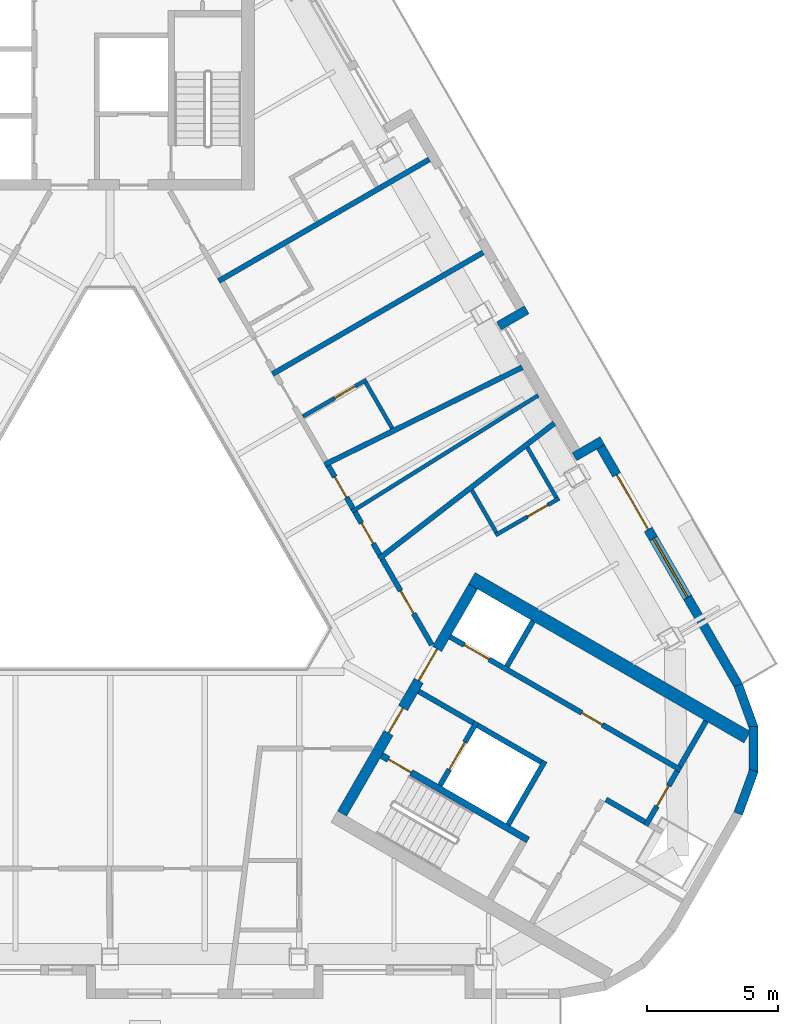
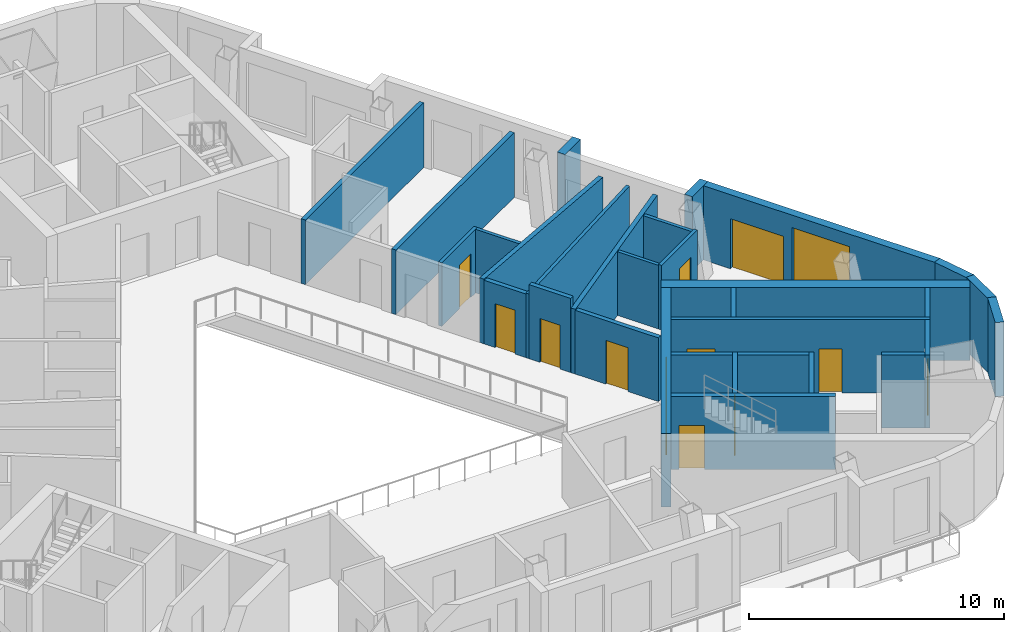
# One storey, part 6 of 13: 31 walls, 13 doors, 1 window, 14 openings.
"""IFC4 building model written with IfcOpenShell, lengths in metres."""

from ifc_helpers import new_model, si_unit, direction, frame, frame_2d, origin, place, context, subcontext, project, spatial, rectangle, extrude, material, layer, layer_set, type_object, element, fill, save


model = new_model("IFC4")

# Units and contexts
model_context = context("Model", 3, precision=1e-05, world=origin(), true_north=direction((0.0, 1.0)))
body_context = subcontext(model_context, "Body", "Model", "MODEL_VIEW")
ifc_project = project(units=[si_unit("LENGTHUNIT", "METRE"), si_unit("AREAUNIT", "SQUARE_METRE"), si_unit("VOLUMEUNIT", "CUBIC_METRE"), si_unit("PLANEANGLEUNIT", "RADIAN"), si_unit("MASSUNIT", "GRAM", prefix="KILO")], contexts=[model_context])

# Site, building, storey
site_placement = place(None, origin())
site = spatial("IfcSite", under=ifc_project, at=site_placement, CompositionType="ELEMENT")
building_placement = place(site_placement, origin())
building = spatial("IfcBuilding", under=site, at=building_placement, Name="Apuvela Tower Hotel", CompositionType="ELEMENT")
storey_placement = place(building_placement, frame((0.0, 0.0, 287.39990234375)))
storey = spatial("IfcBuildingStorey", under=building, at=storey_placement, Name="L71", CompositionType="ELEMENT", Elevation=287.39990234375)

# Wall, openings, doors
ifc_material_1 = material(Name="Concrete C50/60", Category="concrete")
ifc_layer_1 = layer(ifc_material_1, 0.39990234375)
ifc_layer_set_1 = layer_set([ifc_layer_1], Name="COR-WALL-CORE-400")
wall_type_1 = type_object("IfcWallType", Name="COR-WALL-CORE-400", PredefinedType="SHEAR", material=ifc_layer_set_1)
wall_1_placement = place(storey_placement, frame((8.844970703125, -10.880126953125, 0.0), z_axis=(0.0, 0.0, 1.0), x_axis=(0.500004234368, 0.866022959057, 0.0)))
wall_1 = element("IfcWall", 1, at=wall_1_placement, inside=storey, type_object=wall_type_1, Name="Core wall SE", PredefinedType="SHEAR", context=body_context, shape_type="SweptSolid", body=[
    extrude(rectangle(XDim=10.0, YDim=0.39990234375, at=frame_2d((5.0, 0.0))), origin(), (0.0, 0.0, 1.0), 3.5),
])
opening_1_placement = place(wall_1_placement, frame((3.550048828125, 0.0, 0.0)))
opening_1 = element("IfcOpeningElement", 2, at=opening_1_placement, cuts=wall_1, Name="Opening E-FD", PredefinedType="OPENING", context=body_context, shape_type="SweptSolid", body=[
    extrude(rectangle(XDim=1.10009765625, YDim=2.10009765625, at=frame_2d((0.550048828125, 1.050048828125))), frame((0.0, 0.2099609375, 0.0), z_axis=(0.0, -1.0, 0.0), x_axis=(1.0, 0.0, 0.0)), (0.0, 0.0, 1.0), 0.419921875),
])
opening_2_placement = place(wall_1_placement, frame((5.85009765625, 0.0, 0.0)))
opening_2 = element("IfcOpeningElement", 3, at=opening_2_placement, cuts=wall_1, Name="Opening E-GD", PredefinedType="OPENING", context=body_context, shape_type="SweptSolid", body=[
    extrude(rectangle(XDim=1.39990234375, YDim=2.10009765625, at=frame_2d((0.699951171875, 1.050048828125))), frame((0.0, 0.2099609375, 0.0), z_axis=(0.0, -1.0, 0.0), x_axis=(1.0, 0.0, 0.0)), (0.0, 0.0, 1.0), 0.419921875),
])
ifc_material_2 = material(Name="Steel fire door, powder coated", Category="steel")
door_type_1 = type_object("IfcDoorType", Name="COR-FD-1100", OperationType="NOTDEFINED", PredefinedType="DOOR", material=ifc_material_2)
door_1_placement = place(opening_1_placement, frame((1.10009765625, 0.0, 0.0), z_axis=(0.0, 0.0, 1.0), x_axis=(-1.0, 0.0, 0.0)))
door_1 = element("IfcDoor", 4, at=door_1_placement, inside=storey, type_object=door_type_1, Name="Firefighting lobby door E-FD", OperationType="SINGLE_SWING_LEFT", OverallHeight=2.10009765625, OverallWidth=1.10009765625, PredefinedType="DOOR", context=body_context, shape_type="SweptSolid", body=[
    extrude(rectangle(XDim=1.10009765625, YDim=2.10009765625, at=frame_2d((0.550048828125, 1.050048828125))), frame((0.0, 0.02490234375, 0.0), z_axis=(0.0, -1.0, 0.0), x_axis=(1.0, 0.0, 0.0)), (0.0, 0.0, 1.0), 0.050048828125),
])
fill(opening_1, door_1)
ifc_material_3 = material(Name="Glazed steel fire door", Category="steel")
door_type_2 = type_object("IfcDoorType", Name="COR-GD-1400", OperationType="DOUBLE_DOOR_SINGLE_SWING", PredefinedType="DOOR", material=ifc_material_3)
door_2_placement = place(opening_2_placement, frame((1.39990234375, 0.0, 0.0), z_axis=(0.0, 0.0, 1.0), x_axis=(-1.0, 0.0, 0.0)))
door_2 = element("IfcDoor", 5, at=door_2_placement, inside=storey, type_object=door_type_2, Name="Lift lobby door E-GD", OperationType="DOUBLE_DOOR_SINGLE_SWING", OverallHeight=2.10009765625, OverallWidth=1.39990234375, PredefinedType="DOOR", context=body_context, shape_type="SweptSolid", body=[
    extrude(rectangle(XDim=1.39990234375, YDim=2.10009765625, at=frame_2d((0.699951171875, 1.050048828125))), frame((0.0, 0.02490234375, 0.0), z_axis=(0.0, -1.0, 0.0), x_axis=(1.0, 0.0, 0.0)), (0.0, 0.0, 1.0), 0.050048828125),
])
fill(opening_2, door_2)

# Walls
ifc_layer_2 = layer(ifc_material_1, 0.5)
ifc_layer_set_2 = layer_set([ifc_layer_2], Name="COR-WALL-CORE-500")
wall_type_2 = type_object("IfcWallType", Name="COR-WALL-CORE-500", PredefinedType="SHEAR", material=ifc_layer_set_2)
wall_2_placement = place(storey_placement, frame((13.796630859375, -1.9033203125, 0.0), z_axis=(0.0, 0.0, 1.0), x_axis=(0.866024688907, -0.500001238203, 0.0)))
element("IfcWall", 6, at=wall_2_placement, inside=storey, type_object=wall_type_2, Name="Core wall SE", PredefinedType="SHEAR", context=body_context, shape_type="SweptSolid", body=[
    extrude(rectangle(XDim=12.12890625, YDim=0.5, at=frame_2d((6.064453125, 0.0))), origin(), (0.0, 0.0, 1.0), 3.5),
])
ifc_layer_3 = layer(ifc_material_1, 0.199951171875)
ifc_layer_set_3 = layer_set([ifc_layer_3], Name="COR-WALL-SHAFT-200")
wall_type_3 = type_object("IfcWallType", Name="COR-WALL-SHAFT-200", PredefinedType="SHEAR", material=ifc_layer_set_3)
wall_3_placement = place(storey_placement, frame((15.181396484375, -11.305419921875, 0.0), z_axis=(0.0, 0.0, 1.0), x_axis=(0.49994636267, 0.866056369097, 0.0)))
element("IfcWall", 7, at=wall_3_placement, inside=storey, type_object=wall_type_3, Name="Shaft wall SE", PredefinedType="SHEAR", context=body_context, shape_type="SweptSolid", body=[
    extrude(rectangle(XDim=2.800048828125, YDim=0.199951171875, at=frame_2d((1.39990234375, 0.0))), origin(), (0.0, 0.0, 1.0), 3.5),
])

# Wall, opening, door
wall_4_placement = place(storey_placement, frame((12.583251953125, -9.805419921875, 0.0), z_axis=(0.0, 0.0, 1.0), x_axis=(0.49994636267, 0.866056369097, 0.0)))
wall_4 = element("IfcWall", 8, at=wall_4_placement, inside=storey, type_object=wall_type_3, Name="Shaft wall SE", PredefinedType="SHEAR", context=body_context, shape_type="SweptSolid", body=[
    extrude(rectangle(XDim=2.800048828125, YDim=0.199951171875, at=frame_2d((1.39990234375, 0.0))), origin(), (0.0, 0.0, 1.0), 3.5),
])
opening_3_placement = place(wall_4_placement, frame((0.699951171875, 0.0, 0.0)))
opening_3 = element("IfcOpeningElement", 9, at=opening_3_placement, cuts=wall_4, Name="Opening E-LD-FS3", PredefinedType="OPENING", context=body_context, shape_type="SweptSolid", body=[
    extrude(rectangle(XDim=1.199951171875, YDim=2.10009765625, at=frame_2d((0.60009765625, 1.050048828125))), frame((0.0, 0.10986328125, 0.0), z_axis=(0.0, -1.0, 0.0), x_axis=(1.0, 0.0, 0.0)), (0.0, 0.0, 1.0), 0.219970703125),
])
ifc_material_4 = material(Name="Stainless steel lift landing door", Category="steel")
door_type_3 = type_object("IfcDoorType", Name="COR-LD-1200", OperationType="DOUBLE_DOOR_SLIDING", PredefinedType="DOOR", material=ifc_material_4)
door_3_placement = place(opening_3_placement, origin())
door_3 = element("IfcDoor", 10, at=door_3_placement, inside=storey, type_object=door_type_3, Name="Lift landing door E-LD-FS3", OperationType="DOUBLE_DOOR_SLIDING", OverallHeight=2.10009765625, OverallWidth=1.199951171875, PredefinedType="DOOR", context=body_context, shape_type="SweptSolid", body=[
    extrude(rectangle(XDim=1.199951171875, YDim=2.10009765625, at=frame_2d((0.60009765625, 1.050048828125))), frame((0.0, 0.02490234375, 0.0), z_axis=(0.0, -1.0, 0.0), x_axis=(1.0, 0.0, 0.0)), (0.0, 0.0, 1.0), 0.050048828125),
])
fill(opening_3, door_3)

# Walls
wall_5_placement = place(storey_placement, frame((11.76806640625, -6.217041015625, 0.0), z_axis=(0.0, 0.0, 1.0), x_axis=(0.866050077142, -0.499957262057, 0.0)))
element("IfcWall", 11, at=wall_5_placement, inside=storey, type_object=wall_type_3, Name="Shaft wall SE", PredefinedType="SHEAR", context=body_context, shape_type="SweptSolid", body=[
    extrude(rectangle(XDim=2.400146484375, YDim=0.199951171875, at=frame_2d((1.2001953125, 0.0))), origin(), (0.0, 0.0, 1.0), 3.5),
])
wall_6_placement = place(storey_placement, frame((14.019775390625, -7.51708984375, 0.0), z_axis=(0.0, 0.0, 1.0), x_axis=(0.866034573852, -0.49998411664, 0.0)))
element("IfcWall", 12, at=wall_6_placement, inside=storey, type_object=wall_type_3, Name="Shaft wall SE", PredefinedType="SHEAR", context=body_context, shape_type="SweptSolid", body=[
    extrude(rectangle(XDim=2.7998046875, YDim=0.199951171875, at=frame_2d((1.39990234375, 0.0))), origin(), (0.0, 0.0, 1.0), 3.5),
])

# Wall, openings, doors
wall_7_placement = place(storey_placement, frame((12.968017578125, -4.138427734375, 0.0), z_axis=(0.0, 0.0, 1.0), x_axis=(0.866028328073, -0.49999493495, 0.0)))
wall_7 = element("IfcWall", 13, at=wall_7_placement, inside=storey, type_object=wall_type_3, Name="Shaft wall SE", PredefinedType="SHEAR", context=body_context, shape_type="SweptSolid", body=[
    extrude(rectangle(XDim=10.16015625, YDim=0.199951171875, at=frame_2d((5.080078125, 0.0))), origin(), (0.0, 0.0, 1.0), 3.5),
])
opening_4_placement = place(wall_7_placement, frame((0.6201171875, 0.0, 0.0)))
opening_4 = element("IfcOpeningElement", 14, at=opening_4_placement, cuts=wall_7, Name="Opening E-LD-HR3", PredefinedType="OPENING", context=body_context, shape_type="SweptSolid", body=[
    extrude(rectangle(XDim=1.10009765625, YDim=2.10009765625, at=frame_2d((0.550048828125, 1.050048828125))), frame((0.0, 0.10986328125, 0.0), z_axis=(0.0, -1.0, 0.0), x_axis=(1.0, 0.0, 0.0)), (0.0, 0.0, 1.0), 0.219970703125),
])
opening_5_placement = place(wall_7_placement, frame((5.800048828125, 0.0, 0.0)))
opening_5 = element("IfcOpeningElement", 15, at=opening_5_placement, cuts=wall_7, Name="Opening E-RE2", PredefinedType="OPENING", context=body_context, shape_type="SweptSolid", body=[
    extrude(rectangle(XDim=0.89990234375, YDim=2.10009765625, at=frame_2d((0.449951171875, 1.050048828125))), frame((0.0, 0.10986328125, 0.0), z_axis=(0.0, -1.0, 0.0), x_axis=(1.0, 0.0, 0.0)), (0.0, 0.0, 1.0), 0.219970703125),
])
door_type_4 = type_object("IfcDoorType", Name="COR-DR-900", OperationType="NOTDEFINED", PredefinedType="DOOR", material=ifc_material_2)
door_4_placement = place(opening_5_placement, origin())
door_4 = element("IfcDoor", 16, at=door_4_placement, inside=storey, type_object=door_type_4, Name="Store door E-RE2", OperationType="SINGLE_SWING_LEFT", OverallHeight=2.10009765625, OverallWidth=0.89990234375, PredefinedType="DOOR", context=body_context, shape_type="SweptSolid", body=[
    extrude(rectangle(XDim=0.89990234375, YDim=2.10009765625, at=frame_2d((0.449951171875, 1.050048828125))), frame((0.0, 0.02490234375, 0.0), z_axis=(0.0, -1.0, 0.0), x_axis=(1.0, 0.0, 0.0)), (0.0, 0.0, 1.0), 0.050048828125),
])
fill(opening_5, door_4)
door_type_5 = type_object("IfcDoorType", Name="COR-LD-1100", OperationType="DOUBLE_DOOR_SLIDING", PredefinedType="DOOR", material=ifc_material_4)
door_5_placement = place(opening_4_placement, origin())
door_5 = element("IfcDoor", 17, at=door_5_placement, inside=storey, type_object=door_type_5, Name="Lift landing door E-LD-HR3", OperationType="DOUBLE_DOOR_SLIDING", OverallHeight=2.10009765625, OverallWidth=1.10009765625, PredefinedType="DOOR", context=body_context, shape_type="SweptSolid", body=[
    extrude(rectangle(XDim=1.10009765625, YDim=2.10009765625, at=frame_2d((0.550048828125, 1.050048828125))), frame((0.0, 0.02490234375, 0.0), z_axis=(0.0, -1.0, 0.0), x_axis=(1.0, 0.0, 0.0)), (0.0, 0.0, 1.0), 0.050048828125),
])
fill(opening_4, door_5)

# Wall, opening, door
wall_8_placement = place(storey_placement, frame((20.430419921875, -11.33349609375, 0.0), z_axis=(0.0, 0.0, 1.0), x_axis=(0.500001309137, 0.866024647952, 0.0)))
wall_8 = element("IfcWall", 18, at=wall_8_placement, inside=storey, type_object=wall_type_3, Name="Shaft wall SE", PredefinedType="SHEAR", context=body_context, shape_type="SweptSolid", body=[
    extrude(rectangle(XDim=2.39990234375, YDim=0.199951171875, at=frame_2d((1.199951171875, 0.0))), origin(), (0.0, 0.0, 1.0), 3.5),
])
opening_6_placement = place(wall_8_placement, frame((0.85009765625, 0.0, 0.0)))
opening_6 = element("IfcOpeningElement", 19, at=opening_6_placement, cuts=wall_8, Name="Opening E-REP", PredefinedType="OPENING", context=body_context, shape_type="SweptSolid", body=[
    extrude(rectangle(XDim=0.89990234375, YDim=2.10009765625, at=frame_2d((0.449951171875, 1.050048828125))), frame((0.0, 0.10986328125, 0.0), z_axis=(0.0, -1.0, 0.0), x_axis=(1.0, 0.0, 0.0)), (0.0, 0.0, 1.0), 0.219970703125),
])
door_6_placement = place(opening_6_placement, frame((0.89990234375, 0.0, 0.0), z_axis=(0.0, 0.0, 1.0), x_axis=(-1.0, 0.0, 0.0)))
door_6 = element("IfcDoor", 20, at=door_6_placement, inside=storey, type_object=door_type_4, Name="Store door E-REP", OperationType="SINGLE_SWING_RIGHT", OverallHeight=2.10009765625, OverallWidth=0.89990234375, PredefinedType="DOOR", context=body_context, shape_type="SweptSolid", body=[
    extrude(rectangle(XDim=0.89990234375, YDim=2.10009765625, at=frame_2d((0.449951171875, 1.050048828125))), frame((0.0, 0.02490234375, 0.0), z_axis=(0.0, -1.0, 0.0), x_axis=(1.0, 0.0, 0.0)), (0.0, 0.0, 1.0), 0.050048828125),
])
fill(opening_6, door_6)

# Walls
wall_9_placement = place(storey_placement, frame((18.912841796875, -10.342041015625, 0.0), z_axis=(0.0, 0.0, 1.0), x_axis=(0.866038183914, -0.499977863513, 0.0)))
element("IfcWall", 21, at=wall_9_placement, inside=storey, type_object=wall_type_3, Name="Shaft wall SE", PredefinedType="SHEAR", context=body_context, shape_type="SweptSolid", body=[
    extrude(rectangle(XDim=1.7099609375, YDim=0.199951171875, at=frame_2d((0.85498046875, 0.0))), origin(), (0.0, 0.0, 1.0), 3.5),
])
for number, where, z_axis, x_axis, name in (
    (22, (15.131103515625, -5.27197265625, 0.0), (0.0, 0.0, 1.0), (0.499972520799, 0.866041268327, 0.0), "Shaft wall SE"),
    (23, (21.73046875, -9.081787109375, 0.0), (0.0, 0.0, 1.0), (0.50002537861, 0.866010750942, 0.0), "Shaft wall SE"),
):
    element("IfcWall", number, at=place(storey_placement, frame(where, z_axis=z_axis, x_axis=x_axis)), inside=storey, type_object=wall_type_3, Name=name, PredefinedType="SHEAR", context=body_context, shape_type="SweptSolid", body=[
        extrude(rectangle(XDim=2.0, YDim=0.199951171875, at=frame_2d((1.0, 0.0))), origin(), (0.0, 0.0, 1.0), 3.5),
    ])

# Wall, opening, door
ifc_layer_4 = layer(ifc_material_1, 0.25)
ifc_layer_set_4 = layer_set([ifc_layer_4], Name="COR-WALL-STAIR-250")
wall_type_4 = type_object("IfcWallType", Name="COR-WALL-STAIR-250", PredefinedType="SHEAR", material=ifc_layer_set_4)
wall_10_placement = place(storey_placement, frame((10.355712890625, -8.66357421875, 0.0), z_axis=(0.0, 0.0, 1.0), x_axis=(0.866028629588, -0.499994412703, 0.0)))
wall_10 = element("IfcWall", 24, at=wall_10_placement, inside=storey, type_object=wall_type_4, Name="Stair wall SE", PredefinedType="SHEAR", context=body_context, shape_type="SweptSolid", body=[
    extrude(rectangle(XDim=6.44970703125, YDim=0.25, at=frame_2d((3.224853515625, 0.0))), origin(), (0.0, 0.0, 1.0), 3.5),
])
opening_7_placement = place(wall_10_placement, frame((0.300048828125, 0.0, 0.0)))
opening_7 = element("IfcOpeningElement", 25, at=opening_7_placement, cuts=wall_10, Name="Opening E-SD", PredefinedType="OPENING", context=body_context, shape_type="SweptSolid", body=[
    extrude(rectangle(XDim=1.0, YDim=2.10009765625, at=frame_2d((0.5, 1.050048828125))), frame((0.0, 0.135009765625, 0.0), z_axis=(0.0, -1.0, 0.0), x_axis=(1.0, 0.0, 0.0)), (0.0, 0.0, 1.0), 0.27001953125),
])
door_type_6 = type_object("IfcDoorType", Name="COR-SD-1000", OperationType="NOTDEFINED", PredefinedType="DOOR", material=ifc_material_2)
door_7_placement = place(opening_7_placement, frame((1.0, 0.0, 0.0), z_axis=(0.0, 0.0, 1.0), x_axis=(-1.0, 0.0, 0.0)))
door_7 = element("IfcDoor", 26, at=door_7_placement, inside=storey, type_object=door_type_6, Name="Stair door E-SD", OperationType="SINGLE_SWING_LEFT", OverallHeight=2.10009765625, OverallWidth=1.0, PredefinedType="DOOR", context=body_context, shape_type="SweptSolid", body=[
    extrude(rectangle(XDim=1.0, YDim=2.10009765625, at=frame_2d((0.5, 1.050048828125))), frame((0.0, 0.02490234375, 0.0), z_axis=(0.0, -1.0, 0.0), x_axis=(1.0, 0.0, 0.0)), (0.0, 0.0, 1.0), 0.050048828125),
])
fill(opening_7, door_7)

# Walls
ifc_material_5 = material(Name="Concrete C40/50, dark pigmented precast panel", Category="concrete")
ifc_layer_5 = layer(ifc_material_5, 0.35009765625)
ifc_layer_set_5 = layer_set([ifc_layer_5], Name="ENV-WALL-350")
wall_type_5 = type_object("IfcWallType", Name="ENV-WALL-350", PredefinedType="SOLIDWALL", material=ifc_layer_set_5)
for number, where, z_axis, x_axis, name in (
    (27, (23.954833984375, -10.8818359375, 0.0), (0.0, 0.0, 1.0), (0.34201271391, 0.939695324839, 0.0), "External wall L71-30"),
    (28, (24.541015625, -9.302490234375, 0.0), (0.0, 0.0, 1.0), (0.0, 1.0, 0.0), "External wall L71-31"),
    (29, (24.551513671875, -7.61767578125, 0.0), (0.0, 0.0, 1.0), (-0.34201271391, 0.939695324839, 0.0), "External wall L71-32"),
):
    element("IfcWall", number, at=place(storey_placement, frame(where, z_axis=z_axis, x_axis=x_axis)), inside=storey, type_object=wall_type_5, Name=name, PredefinedType="SOLIDWALL", context=body_context, shape_type="SweptSolid", body=[
        extrude(rectangle(XDim=1.74462890625, YDim=0.35009765625, at=frame_2d((0.872314453125, 0.0))), origin(), (0.0, 0.0, 1.0), 3.550048828125),
    ])

# Wall, openings, door, window
wall_11_placement = place(storey_placement, frame((23.9677734375, -6.005859375, 0.0), z_axis=(0.0, 0.0, 1.0), x_axis=(-0.500008899612, 0.86602026553, 0.0)))
wall_11 = element("IfcWall", 30, at=wall_11_placement, inside=storey, type_object=wall_type_5, Name="External wall L71-33", PredefinedType="SOLIDWALL", context=body_context, shape_type="SweptSolid", body=[
    extrude(rectangle(XDim=10.869873046875, YDim=0.35009765625, at=frame_2d((5.43505859375, 0.0))), origin(), (0.0, 0.0, 1.0), 3.550048828125),
])
opening_8_placement = place(wall_11_placement, frame((6.890625, 0.0, 0.0)))
opening_8 = element("IfcOpeningElement", 31, at=opening_8_placement, cuts=wall_11, Name="Opening BD24", PredefinedType="OPENING", context=body_context, shape_type="SweptSolid", body=[
    extrude(rectangle(XDim=2.39990234375, YDim=2.39990234375, at=frame_2d((1.199951171875, 1.199951171875))), frame((0.0, 0.18505859375, 0.0), z_axis=(0.0, -1.0, 0.0), x_axis=(1.0, 0.0, 0.0)), (0.0, 0.0, 1.0), 0.3701171875),
])
opening_9_placement = place(wall_11_placement, frame((3.8916015625, 0.0, 0.300048828125)))
opening_9 = element("IfcOpeningElement", 32, at=opening_9_placement, cuts=wall_11, Name="Opening WN26", PredefinedType="OPENING", context=body_context, shape_type="SweptSolid", body=[
    extrude(rectangle(XDim=2.60009765625, YDim=2.64990234375, at=frame_2d((1.300048828125, 1.324951171875))), frame((0.0, 0.18505859375, 0.0), z_axis=(0.0, -1.0, 0.0), x_axis=(1.0, 0.0, 0.0)), (0.0, 0.0, 1.0), 0.3701171875),
])
ifc_material_6 = material(Name="Aluminium 6063-T6, dark bronze anodised frame with dark tinted laminated glass", Category="aluminium")
door_type_7 = type_object("IfcDoorType", Name="ENV-DOOR-BALCONY-2400x2400", OperationType="SLIDING_TO_LEFT", PredefinedType="DOOR", material=ifc_material_6)
door_8_placement = place(opening_8_placement, frame((2.39990234375, 0.0, 0.0), z_axis=(0.0, 0.0, 1.0), x_axis=(-1.0, 0.0, 0.0)))
door_8 = element("IfcDoor", 33, at=door_8_placement, inside=storey, type_object=door_type_7, Name="Balcony door BD24", OperationType="SLIDING_TO_LEFT", OverallHeight=2.39990234375, OverallWidth=2.39990234375, PredefinedType="DOOR", context=body_context, shape_type="SweptSolid", body=[
    extrude(rectangle(XDim=2.39990234375, YDim=2.39990234375, at=frame_2d((1.199951171875, 1.199951171875))), frame((0.0, 0.02490234375, 0.0), z_axis=(0.0, -1.0, 0.0), x_axis=(1.0, 0.0, 0.0)), (0.0, 0.0, 1.0), 0.050048828125),
])
fill(opening_8, door_8)
ifc_material_7 = material(Name="Glass, dark tinted laminated insulated glazing unit", Category="glass")
window_type = type_object("IfcWindowType", Name="ENV-WIN-2600x2650", PartitioningType="SINGLE_PANEL", PredefinedType="WINDOW", material=ifc_material_7)
window_placement = place(opening_9_placement, origin())
window = element("IfcWindow", 34, at=window_placement, inside=storey, type_object=window_type, Name="Window WN26", OverallHeight=2.64990234375, OverallWidth=2.60009765625, PartitioningType="SINGLE_PANEL", PredefinedType="WINDOW", context=body_context, shape_type="SweptSolid", body=[
    extrude(rectangle(XDim=2.60009765625, YDim=2.64990234375, at=frame_2d((1.300048828125, 1.324951171875))), frame((0.0, 0.030029296875, 0.0), z_axis=(0.0, -1.0, 0.0), x_axis=(1.0, 0.0, 0.0)), (0.0, 0.0, 1.0), 0.06005859375),
])
fill(opening_9, window)

# Walls
for number, where, z_axis, x_axis, name in (
    (35, (18.77197265625, 3.343505859375, 0.0), (0.0, 0.0, 1.0), (-0.866005645448, -0.500034220881, 0.0), "External wall L71-34"),
    (36, (14.83251953125, 7.7265625, 0.0), (0.0, 0.0, 1.0), (0.866142280446, 0.499797509021, 0.0), "External wall L71-36"),
):
    element("IfcWall", number, at=place(storey_placement, frame(where, z_axis=z_axis, x_axis=x_axis)), inside=storey, type_object=wall_type_5, Name=name, PredefinedType="SOLIDWALL", context=body_context, shape_type="SweptSolid", body=[
        extrude(rectangle(XDim=1.22021484375, YDim=0.35009765625, at=frame_2d((0.610107421875, 0.0))), origin(), (0.0, 0.0, 1.0), 3.550048828125),
    ])
ifc_material_8 = material(Name="Gypsum board partition on twin steel stud", Category="steel")
ifc_layer_6 = layer(ifc_material_8, 0.199951171875)
ifc_layer_set_6 = layer_set([ifc_layer_6], Name="GST-PW1")
wall_type_6 = type_object("IfcWallType", Name="GST-PW1", PredefinedType="PARTITIONING", material=ifc_layer_set_6)
wall_12_placement = place(storey_placement, frame((16.944580078125, 4.00830078125, 0.0), z_axis=(0.0, 0.0, 1.0), x_axis=(-0.791722394734, -0.610881043801, 0.0)))
element("IfcWall", 37, at=wall_12_placement, inside=storey, type_object=wall_type_6, Name="L71 partition 04", PredefinedType="PARTITIONING", context=body_context, shape_type="SweptSolid", body=[
    extrude(rectangle(XDim=8.453857421875, YDim=0.199951171875, at=frame_2d((4.22705078125, 0.0))), origin(), (0.0, 0.0, 1.0), 3.10009765625),
])
wall_13_placement = place(storey_placement, frame((15.714599609375, 6.13916015625, 0.0), z_axis=(0.0, 0.0, 1.0), x_axis=(-0.897120508699, -0.44178591294, 0.0)))
element("IfcWall", 38, at=wall_13_placement, inside=storey, type_object=wall_type_6, Name="L71 partition 05", PredefinedType="PARTITIONING", context=body_context, shape_type="SweptSolid", body=[
    extrude(rectangle(XDim=8.39697265625, YDim=0.199951171875, at=frame_2d((4.198486328125, 0.0))), origin(), (0.0, 0.0, 1.0), 3.10009765625),
])
wall_14_placement = place(storey_placement, frame((14.2236328125, 10.521484375, 0.0), z_axis=(0.0, 0.0, 1.0), x_axis=(-0.866024341471, -0.500001839976, 0.0)))
element("IfcWall", 39, at=wall_14_placement, inside=storey, type_object=wall_type_6, Name="L71 partition 06", PredefinedType="PARTITIONING", context=body_context, shape_type="SweptSolid", body=[
    extrude(rectangle(XDim=9.27880859375, YDim=0.199951171875, at=frame_2d((4.639404296875, 0.0))), origin(), (0.0, 0.0, 1.0), 3.10009765625),
])
wall_15_placement = place(storey_placement, frame((12.173583984375, 14.072021484375, 0.0), z_axis=(0.0, 0.0, 1.0), x_axis=(-0.866035734738, -0.499982105836, 0.0)))
element("IfcWall", 40, at=wall_15_placement, inside=storey, type_object=wall_type_6, Name="L71 partition 07", PredefinedType="PARTITIONING", context=body_context, shape_type="SweptSolid", body=[
    extrude(rectangle(XDim=9.278564453125, YDim=0.199951171875, at=frame_2d((4.63916015625, 0.0))), origin(), (0.0, 0.0, 1.0), 3.10009765625),
])

# Wall, opening, door
ifc_material_9 = material(Name="Gypsum board corridor wall on twin steel stud, acoustic", Category="steel")
ifc_layer_7 = layer(ifc_material_9, 0.199951171875)
ifc_layer_set_7 = layer_set([ifc_layer_7], Name="GST-PW2")
wall_type_7 = type_object("IfcWallType", Name="GST-PW2", PredefinedType="PARTITIONING", material=ifc_layer_set_7)
wall_16_placement = place(storey_placement, frame((10.3818359375, -1.181884765625, 0.0), z_axis=(0.0, 0.0, 1.0), x_axis=(0.50002859319, -0.866008894869, 0.0)))
wall_16 = element("IfcWall", 41, at=wall_16_placement, inside=storey, type_object=wall_type_7, Name="L71 partition 22", PredefinedType="PARTITIONING", context=body_context, shape_type="SweptSolid", body=[
    extrude(rectangle(XDim=3.773681640625, YDim=0.199951171875, at=frame_2d((1.88671875, 0.0))), origin(), (0.0, 0.0, 1.0), 3.050048828125),
])
opening_10_placement = place(wall_16_placement, frame((1.386962890625, 0.0, 0.0)))
opening_10 = element("IfcOpeningElement", 42, at=opening_10_placement, cuts=wall_16, Name="Opening GD28-08", PredefinedType="OPENING", context=body_context, shape_type="SweptSolid", body=[
    extrude(rectangle(XDim=1.0, YDim=2.10009765625, at=frame_2d((0.5, 1.050048828125))), frame((0.0, 0.10986328125, 0.0), z_axis=(0.0, -1.0, 0.0), x_axis=(1.0, 0.0, 0.0)), (0.0, 0.0, 1.0), 0.219970703125),
])
ifc_material_10 = material(Name="Timber door leaf in steel frame", Category="steel")
door_type_8 = type_object("IfcDoorType", Name="GST-D1", OperationType="NOTDEFINED", PredefinedType="DOOR", material=ifc_material_10)
door_9_placement = place(opening_10_placement, origin())
door_9 = element("IfcDoor", 43, at=door_9_placement, inside=storey, type_object=door_type_8, Name="Door L71-08", OperationType="SINGLE_SWING_LEFT", OverallHeight=2.10009765625, OverallWidth=1.0, PredefinedType="DOOR", context=body_context, shape_type="SweptSolid", body=[
    extrude(rectangle(XDim=1.0, YDim=2.10009765625, at=frame_2d((0.5, 1.050048828125))), frame((0.0, 0.02490234375, 0.0), z_axis=(0.0, -1.0, 0.0), x_axis=(1.0, 0.0, 0.0)), (0.0, 0.0, 1.0), 0.050048828125),
])
fill(opening_10, door_9)

wall_17_placement = place(storey_placement, frame((9.3388671875, 0.624755859375, 0.0), z_axis=(0.0, 0.0, 1.0), x_axis=(0.499999106059, -0.866025919901, 0.0)))
wall_17 = element("IfcWall", 44, at=wall_17_placement, inside=storey, type_object=wall_type_7, Name="L71 partition 27", PredefinedType="PARTITIONING", context=body_context, shape_type="SweptSolid", body=[
    extrude(rectangle(XDim=1.88427734375, YDim=0.199951171875, at=frame_2d((0.942138671875, 0.0))), origin(), (0.0, 0.0, 1.0), 3.550048828125),
])
opening_11_placement = place(wall_17_placement, frame((0.4921875, 0.0, 0.0)))
opening_11 = element("IfcOpeningElement", 45, at=opening_11_placement, cuts=wall_17, Name="Opening GD28-09", PredefinedType="OPENING", context=body_context, shape_type="SweptSolid", body=[
    extrude(rectangle(XDim=0.89990234375, YDim=2.10009765625, at=frame_2d((0.449951171875, 1.050048828125))), frame((0.0, 0.10986328125, 0.0), z_axis=(0.0, -1.0, 0.0), x_axis=(1.0, 0.0, 0.0)), (0.0, 0.0, 1.0), 0.219970703125),
])
door_type_9 = type_object("IfcDoorType", Name="GST-D2", OperationType="NOTDEFINED", PredefinedType="DOOR", material=ifc_material_10)
door_10_placement = place(opening_11_placement, origin())
door_10 = element("IfcDoor", 46, at=door_10_placement, inside=storey, type_object=door_type_9, Name="Door L71-09", OperationType="SINGLE_SWING_LEFT", OverallHeight=2.10009765625, OverallWidth=0.89990234375, PredefinedType="DOOR", context=body_context, shape_type="SweptSolid", body=[
    extrude(rectangle(XDim=0.89990234375, YDim=2.10009765625, at=frame_2d((0.449951171875, 1.050048828125))), frame((0.0, 0.02490234375, 0.0), z_axis=(0.0, -1.0, 0.0), x_axis=(1.0, 0.0, 0.0)), (0.0, 0.0, 1.0), 0.050048828125),
])
fill(opening_11, door_10)

wall_18_placement = place(storey_placement, frame((8.3212890625, 2.386962890625, 0.0), z_axis=(0.0, 0.0, 1.0), x_axis=(0.500081217305, -0.865978507874, 0.0)))
wall_18 = element("IfcWall", 47, at=wall_18_placement, inside=storey, type_object=wall_type_7, Name="L71 partition 28", PredefinedType="PARTITIONING", context=body_context, shape_type="SweptSolid", body=[
    extrude(rectangle(XDim=1.885009765625, YDim=0.199951171875, at=frame_2d((0.9423828125, 0.0))), origin(), (0.0, 0.0, 1.0), 3.050048828125),
])
opening_12_placement = place(wall_18_placement, frame((0.492431640625, 0.0, 0.0)))
opening_12 = element("IfcOpeningElement", 48, at=opening_12_placement, cuts=wall_18, Name="Opening GD28-10", PredefinedType="OPENING", context=body_context, shape_type="SweptSolid", body=[
    extrude(rectangle(XDim=0.89990234375, YDim=2.10009765625, at=frame_2d((0.449951171875, 1.050048828125))), frame((0.0, 0.10986328125, 0.0), z_axis=(0.0, -1.0, 0.0), x_axis=(1.0, 0.0, 0.0)), (0.0, 0.0, 1.0), 0.219970703125),
])
door_11_placement = place(opening_12_placement, origin())
door_11 = element("IfcDoor", 49, at=door_11_placement, inside=storey, type_object=door_type_9, Name="Door L71-10", OperationType="SINGLE_SWING_RIGHT", OverallHeight=2.10009765625, OverallWidth=0.89990234375, PredefinedType="DOOR", context=body_context, shape_type="SweptSolid", body=[
    extrude(rectangle(XDim=0.89990234375, YDim=2.10009765625, at=frame_2d((0.449951171875, 1.050048828125))), frame((0.0, 0.02490234375, 0.0), z_axis=(0.0, -1.0, 0.0), x_axis=(1.0, 0.0, 0.0)), (0.0, 0.0, 1.0), 0.050048828125),
])
fill(opening_12, door_11)

ifc_material_11 = material(Name="Moisture-resistant gypsum board wet wall on steel stud", Category="steel")
ifc_layer_8 = layer(ifc_material_11, 0.14990234375)
ifc_layer_set_8 = layer_set([ifc_layer_8], Name="GST-PW3")
wall_type_8 = type_object("IfcWallType", Name="GST-PW3", PredefinedType="PARTITIONING", material=ifc_layer_set_8)
wall_19_placement = place(storey_placement, frame((14.699462890625, -0.260009765625, 0.0), z_axis=(0.0, 0.0, 1.0), x_axis=(0.866034573852, 0.49998411664, 0.0)))
wall_19 = element("IfcWall", 50, at=wall_19_placement, inside=storey, type_object=wall_type_8, Name="L71 partition 23", PredefinedType="PARTITIONING", context=body_context, shape_type="SweptSolid", body=[
    extrude(rectangle(XDim=2.7998046875, YDim=0.14990234375, at=frame_2d((1.39990234375, 0.0))), origin(), (0.0, 0.0, 1.0), 3.10009765625),
])
opening_13_placement = place(wall_19_placement, frame((1.39990234375, 0.0, 0.0)))
opening_13 = element("IfcOpeningElement", 51, at=opening_13_placement, cuts=wall_19, Name="Opening GD28-07", PredefinedType="OPENING", context=body_context, shape_type="SweptSolid", body=[
    extrude(rectangle(XDim=0.89990234375, YDim=2.10009765625, at=frame_2d((0.449951171875, 1.050048828125))), frame((0.0, 0.0849609375, 0.0), z_axis=(0.0, -1.0, 0.0), x_axis=(1.0, 0.0, 0.0)), (0.0, 0.0, 1.0), 0.169921875),
])
door_12_placement = place(opening_13_placement, origin())
door_12 = element("IfcDoor", 52, at=door_12_placement, inside=storey, type_object=door_type_9, Name="Door L71-07", OperationType="SINGLE_SWING_RIGHT", OverallHeight=2.10009765625, OverallWidth=0.89990234375, PredefinedType="DOOR", context=body_context, shape_type="SweptSolid", body=[
    extrude(rectangle(XDim=0.89990234375, YDim=2.10009765625, at=frame_2d((0.449951171875, 1.050048828125))), frame((0.0, 0.02490234375, 0.0), z_axis=(0.0, -1.0, 0.0), x_axis=(1.0, 0.0, 0.0)), (0.0, 0.0, 1.0), 0.050048828125),
])
fill(opening_13, door_12)

# Walls
wall_20_placement = place(storey_placement, frame((17.021728515625, 1.16748046875, 0.0), z_axis=(0.0, 0.0, 1.0), x_axis=(-0.499954515395, 0.866051662741, 0.0)))
element("IfcWall", 53, at=wall_20_placement, inside=storey, type_object=wall_type_8, Name="L71 partition 24", PredefinedType="PARTITIONING", context=body_context, shape_type="SweptSolid", body=[
    extrude(rectangle(XDim=2.216064453125, YDim=0.14990234375, at=frame_2d((1.10791015625, 0.0))), origin(), (0.0, 0.0, 1.0), 3.050048828125),
])
wall_21_placement = place(storey_placement, frame((14.726806640625, -0.15771484375, 0.0), z_axis=(0.0, 0.0, 1.0), x_axis=(-0.499964847546, 0.866045698112, 0.0)))
element("IfcWall", 54, at=wall_21_placement, inside=storey, type_object=wall_type_8, Name="L71 partition 25", PredefinedType="PARTITIONING", context=body_context, shape_type="SweptSolid", body=[
    extrude(rectangle(XDim=1.860107421875, YDim=0.14990234375, at=frame_2d((0.93017578125, 0.0))), origin(), (0.0, 0.0, 1.0), 3.050048828125),
])
wall_22_placement = place(storey_placement, frame((16.32958984375, 5.07373046875, 0.0), z_axis=(0.0, 0.0, 1.0), x_axis=(-0.848469139967, -0.52924485687, 0.0)))
element("IfcWall", 55, at=wall_22_placement, inside=storey, type_object=wall_type_8, Name="L71 partition 26", PredefinedType="PARTITIONING", context=body_context, shape_type="SweptSolid", body=[
    extrude(rectangle(XDim=8.383544921875, YDim=0.14990234375, at=frame_2d((4.19189453125, 0.0))), origin(), (0.0, 0.0, 1.0), 3.10009765625),
])

# Wall, opening, door
wall_23_placement = place(storey_placement, frame((9.77685546875, 5.666015625, 0.0), z_axis=(0.0, 0.0, 1.0), x_axis=(-0.865996816683, -0.500049511043, 0.0)))
wall_23 = element("IfcWall", 56, at=wall_23_placement, inside=storey, type_object=wall_type_8, Name="L71 partition 30", PredefinedType="PARTITIONING", context=body_context, shape_type="SweptSolid", body=[
    extrude(rectangle(XDim=2.800048828125, YDim=0.14990234375, at=frame_2d((1.39990234375, 0.0))), origin(), (0.0, 0.0, 1.0), 3.050048828125),
])
opening_14_placement = place(wall_23_placement, frame((0.5, 0.0, 0.0)))
opening_14 = element("IfcOpeningElement", 57, at=opening_14_placement, cuts=wall_23, Name="Opening GD28-11", PredefinedType="OPENING", context=body_context, shape_type="SweptSolid", body=[
    extrude(rectangle(XDim=0.89990234375, YDim=2.10009765625, at=frame_2d((0.449951171875, 1.050048828125))), frame((0.0, 0.0849609375, 0.0), z_axis=(0.0, -1.0, 0.0), x_axis=(1.0, 0.0, 0.0)), (0.0, 0.0, 1.0), 0.169921875),
])
door_13_placement = place(opening_14_placement, origin())
door_13 = element("IfcDoor", 58, at=door_13_placement, inside=storey, type_object=door_type_9, Name="Door L71-11", OperationType="SINGLE_SWING_LEFT", OverallHeight=2.10009765625, OverallWidth=0.89990234375, PredefinedType="DOOR", context=body_context, shape_type="SweptSolid", body=[
    extrude(rectangle(XDim=0.89990234375, YDim=2.10009765625, at=frame_2d((0.449951171875, 1.050048828125))), frame((0.0, 0.02490234375, 0.0), z_axis=(0.0, -1.0, 0.0), x_axis=(1.0, 0.0, 0.0)), (0.0, 0.0, 1.0), 0.050048828125),
])
fill(opening_14, door_13)

# Wall
wall_24_placement = place(storey_placement, frame((10.760986328125, 3.811279296875, 0.0), z_axis=(0.0, 0.0, 1.0), x_axis=(-0.499941815747, 0.866058993873, 0.0)))
element("IfcWall", 59, at=wall_24_placement, inside=storey, type_object=wall_type_8, Name="L71 partition 31", PredefinedType="PARTITIONING", context=body_context, shape_type="SweptSolid", body=[
    extrude(rectangle(XDim=2.023193359375, YDim=0.14990234375, at=frame_2d((1.01171875, 0.0))), origin(), (0.0, 0.0, 1.0), 3.050048828125),
])

save(model, "model.ifc")
